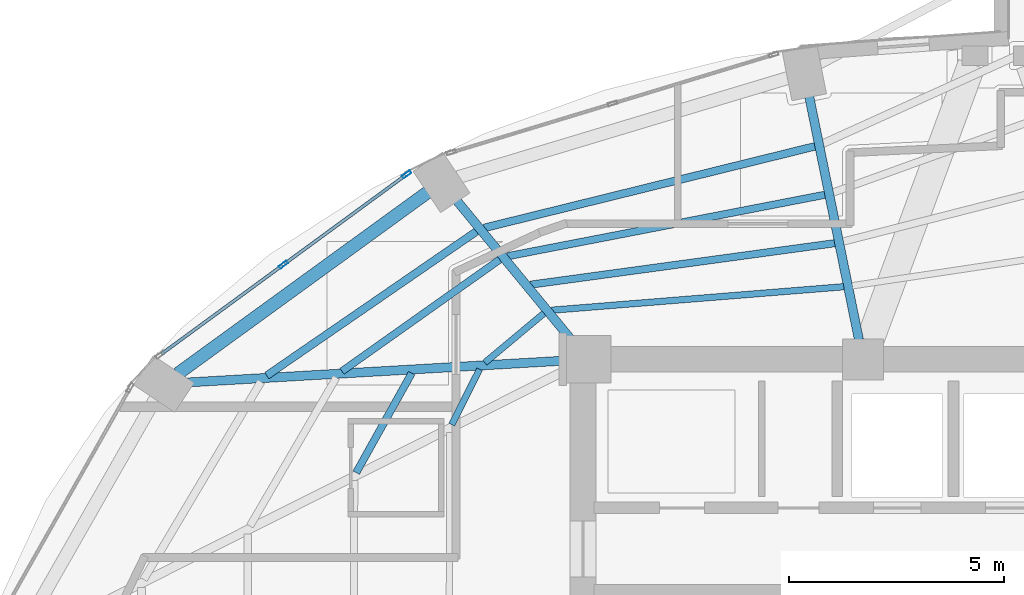
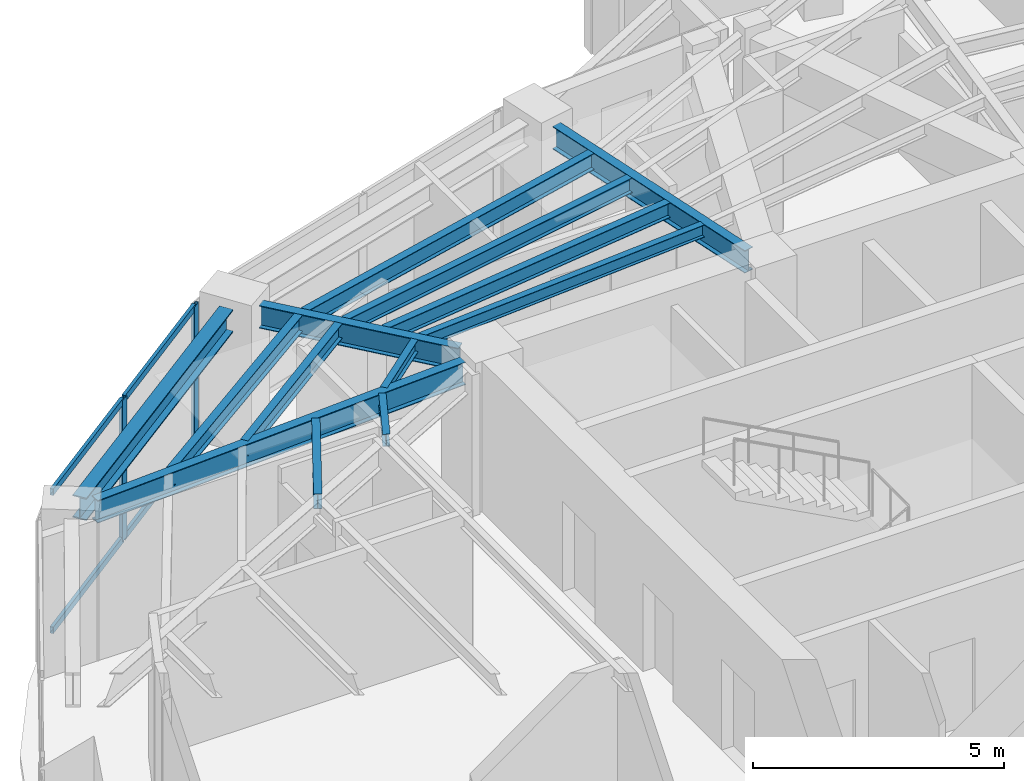
# One storey, part 7 of 20: 13 beams, 6 members, 1 element without a shape of its own.
"""IFC4 building model written with IfcOpenShell, lengths in metres."""

from ifc_helpers import new_model, si_unit, direction, frame, origin, origin_2d, place, context, subcontext, project, spatial, hollow_rectangle, i_section, extrude, material, layer, layer_set, material_profile, profile_set, type_object, element, aggregate, save


model = new_model("IFC4")

# Units and contexts
model_context = context("Model", 3, precision=1e-05, world=origin(), true_north=direction((0.0, 1.0)))
body_context = subcontext(model_context, "Body", "Model", "MODEL_VIEW")
ifc_project = project(units=[si_unit("LENGTHUNIT", "METRE"), si_unit("AREAUNIT", "SQUARE_METRE"), si_unit("VOLUMEUNIT", "CUBIC_METRE"), si_unit("PLANEANGLEUNIT", "RADIAN"), si_unit("MASSUNIT", "GRAM", prefix="KILO")], contexts=[model_context])

# Site, building, storey
site_placement = place(None, origin())
site = spatial("IfcSite", under=ifc_project, at=site_placement, CompositionType="ELEMENT")
building_placement = place(site_placement, origin())
building = spatial("IfcBuilding", under=site, at=building_placement, Name="Lazwardi Medical Tower", CompositionType="ELEMENT")
storey_placement = place(building_placement, frame((0.0, 0.0, 141.93603515625)))
storey = spatial("IfcBuildingStorey", under=building, at=storey_placement, Name="L36", CompositionType="ELEMENT", Elevation=141.93603515625)

# Beams
ifc_material_1 = material(Name="Steel S355", Category="steel")
ifc_material_profile_1 = material_profile(ifc_material_1, i_section(OverallWidth=0.300048828125, OverallDepth=0.550048828125, WebThickness=0.014892578125, FlangeThickness=0.029052734375, at=origin_2d()), Name="HEB 550")
ifc_profile_set_1 = profile_set([ifc_material_profile_1], Name="Steel S355")
beam_type_1 = type_object("IfcBeamType", Name="BM-RB-Z3", PredefinedType="BEAM", material=ifc_profile_set_1)
beam_1_placement = place(storey_placement, frame((22.689697265625, 39.479248046875, 3.153076171875), z_axis=(-0.809127570774, -0.587633026824, 0.0), x_axis=(0.587633026824, -0.809127570774, 0.0)))
element("IfcBeam", 1, at=beam_1_placement, inside=storey, type_object=beam_type_1, Name="Ring beam RB-04 B10 L36", PredefinedType="BEAM", context=body_context, shape_type="SweptSolid", body=[
    extrude(i_section(OverallWidth=0.300048828125, OverallDepth=0.550048828125, WebThickness=0.014892578125, FlangeThickness=0.029052734375, at=origin_2d()), origin(), (0.0, 0.0, 1.0), 7.170166015625),
])
ifc_material_profile_2 = material_profile(ifc_material_1, i_section(OverallWidth=0.2099609375, OverallDepth=0.550048828125, WebThickness=0.010986328125, FlangeThickness=0.01708984375, at=origin_2d()), Name="IPE 550")
ifc_profile_set_2 = profile_set([ifc_material_profile_2], Name="Steel S355")
beam_type_2 = type_object("IfcBeamType", Name="BM-RG-W2", PredefinedType="BEAM", material=ifc_profile_set_2)
beam_2_placement = place(storey_placement, frame((31.552001953125, 41.7001953125, 3.153076171875), z_axis=(0.200429485343, -0.979708130723, 0.0), x_axis=(0.979708130723, 0.200429485343, 0.0)))
element("IfcBeam", 2, at=beam_2_placement, inside=storey, type_object=beam_type_2, Name="Radial girder RG-03 R09 L36", PredefinedType="BEAM", context=body_context, shape_type="SweptSolid", body=[
    extrude(i_section(OverallWidth=0.2099609375, OverallDepth=0.550048828125, WebThickness=0.010986328125, FlangeThickness=0.01708984375, at=origin_2d()), origin(), (0.0, 0.0, 1.0), 5.766357421875),
])
beam_3_placement = place(storey_placement, frame((23.369384765625, 39.28173828125, 3.153076171875), z_axis=(0.635555639966, -0.772055068312, 0.0), x_axis=(0.772055068312, 0.635555639966, 0.0)))
element("IfcBeam", 3, at=beam_3_placement, inside=storey, type_object=beam_type_2, Name="Radial girder RG-03 R10 L36", PredefinedType="BEAM", context=body_context, shape_type="SweptSolid", body=[
    extrude(i_section(OverallWidth=0.2099609375, OverallDepth=0.550048828125, WebThickness=0.010986328125, FlangeThickness=0.01708984375, at=origin_2d()), origin(), (0.0, 0.0, 1.0), 4.233642578125),
])
beam_4_placement = place(storey_placement, frame((17.12353515625, 35.063232421875, 3.153076171875), z_axis=(0.998330154646, 0.057765927014, 0.0), x_axis=(-0.057765927014, 0.998330154646, 0.0)))
element("IfcBeam", 4, at=beam_4_placement, inside=storey, type_object=beam_type_2, Name="Radial girder RG-03 R11 L36", PredefinedType="BEAM", context=body_context, shape_type="SweptSolid", body=[
    extrude(i_section(OverallWidth=0.2099609375, OverallDepth=0.550048828125, WebThickness=0.010986328125, FlangeThickness=0.01708984375, at=origin_2d()), origin(), (0.0, 0.0, 1.0), 8.757080078125),
])
ifc_material_profile_3 = material_profile(ifc_material_1, i_section(OverallWidth=0.179931640625, OverallDepth=0.39990234375, WebThickness=0.008544921875, FlangeThickness=0.013427734375, at=origin_2d()), Name="IPE 400")
ifc_profile_set_3 = profile_set([ifc_material_profile_3], Name="Steel S355")
beam_type_3 = type_object("IfcBeamType", Name="BM-SJ-01", PredefinedType="JOIST", material=ifc_profile_set_3)
beam_5_placement = place(storey_placement, frame((31.68603515625, 40.54638671875, 3.22802734375), z_axis=(-0.970912648168, -0.239433977597, 0.0), x_axis=(0.239433977597, -0.970912648168, 0.0)))
element("IfcBeam", 5, at=beam_5_placement, inside=storey, type_object=beam_type_3, Name="Secondary joist SJ-01 R1 B09 L36", PredefinedType="JOIST", context=body_context, shape_type="SweptSolid", body=[
    extrude(i_section(OverallWidth=0.179931640625, OverallDepth=0.39990234375, WebThickness=0.008544921875, FlangeThickness=0.013427734375, at=origin_2d()), origin(), (0.0, 0.0, 1.0), 7.91162109375),
])
beam_6_placement = place(storey_placement, frame((23.8251953125, 38.5712890625, 3.22802734375), z_axis=(-0.823932256005, -0.566688307198, 0.0), x_axis=(0.566688307198, -0.823932256005, 0.0)))
element("IfcBeam", 6, at=beam_6_placement, inside=storey, type_object=beam_type_3, Name="Secondary joist SJ-01 R1 B10 L36", PredefinedType="JOIST", context=body_context, shape_type="SweptSolid", body=[
    extrude(i_section(OverallWidth=0.179931640625, OverallDepth=0.39990234375, WebThickness=0.008544921875, FlangeThickness=0.013427734375, at=origin_2d()), origin(), (0.0, 0.0, 1.0), 5.91162109375),
])
ifc_material_profile_4 = material_profile(ifc_material_1, i_section(OverallWidth=0.169921875, OverallDepth=0.360107421875, WebThickness=0.008056640625, FlangeThickness=0.0126953125, at=origin_2d()), Name="IPE 360")
ifc_profile_set_4 = profile_set([ifc_material_profile_4], Name="Steel S355")
beam_type_4 = type_object("IfcBeamType", Name="BM-SJ-02", PredefinedType="JOIST", material=ifc_profile_set_4)
beam_7_placement = place(storey_placement, frame((31.916015625, 39.42138671875, 3.248046875), z_axis=(-0.981753035865, -0.190160396953, 0.0), x_axis=(0.190160396953, -0.981753035865, 0.0)))
element("IfcBeam", 7, at=beam_7_placement, inside=storey, type_object=beam_type_4, Name="Secondary joist SJ-02 R2 B09 L36", PredefinedType="JOIST", context=body_context, shape_type="SweptSolid", body=[
    extrude(i_section(OverallWidth=0.169921875, OverallDepth=0.360107421875, WebThickness=0.008056640625, FlangeThickness=0.0126953125, at=origin_2d()), origin(), (0.0, 0.0, 1.0), 7.50927734375),
])
beam_8_placement = place(storey_placement, frame((24.364013671875, 37.91650390625, 3.248046875), z_axis=(-0.816108950798, -0.577898070967, 0.0), x_axis=(0.577898070967, -0.816108950798, 0.0)))
element("IfcBeam", 8, at=beam_8_placement, inside=storey, type_object=beam_type_4, Name="Secondary joist SJ-02 R2 B10 L36", PredefinedType="JOIST", context=body_context, shape_type="SweptSolid", body=[
    extrude(i_section(OverallWidth=0.169921875, OverallDepth=0.360107421875, WebThickness=0.008056640625, FlangeThickness=0.0126953125, at=origin_2d()), origin(), (0.0, 0.0, 1.0), 4.487060546875),
])
beam_9_placement = place(storey_placement, frame((32.146484375, 38.297119140625, 3.248046875), z_axis=(-0.990832043476, -0.135099450852, 0.0), x_axis=(0.135099450852, -0.990832043476, 0.0)))
element("IfcBeam", 9, at=beam_9_placement, inside=storey, type_object=beam_type_4, Name="Secondary joist SJ-02 R3 B09 L36", PredefinedType="JOIST", context=body_context, shape_type="SweptSolid", body=[
    extrude(i_section(OverallWidth=0.169921875, OverallDepth=0.360107421875, WebThickness=0.008056640625, FlangeThickness=0.0126953125, at=origin_2d()), origin(), (0.0, 0.0, 1.0), 7.129150390625),
])
beam_10_placement = place(storey_placement, frame((22.3203125, 35.279296875, 3.248046875), z_axis=(-0.487099444348, -0.87334651274, 0.0), x_axis=(0.87334651274, -0.487099444348, 0.0)))
element("IfcBeam", 10, at=beam_10_placement, inside=storey, type_object=beam_type_4, Name="Secondary joist SJ-02 R3 B11 L36", PredefinedType="JOIST", context=body_context, shape_type="SweptSolid", body=[
    extrude(i_section(OverallWidth=0.169921875, OverallDepth=0.360107421875, WebThickness=0.008056640625, FlangeThickness=0.0126953125, at=origin_2d()), origin(), (0.0, 0.0, 1.0), 2.64599609375),
])
ifc_material_profile_5 = material_profile(ifc_material_1, i_section(OverallWidth=0.14990234375, OverallDepth=0.300048828125, WebThickness=0.007080078125, FlangeThickness=0.0107421875, at=origin_2d()), Name="IPE 300")
ifc_profile_set_5 = profile_set([ifc_material_profile_5], Name="Steel S355")
beam_type_5 = type_object("IfcBeamType", Name="BM-SJ-03", PredefinedType="JOIST", material=ifc_profile_set_5)
beam_11_placement = place(storey_placement, frame((32.353759765625, 37.28564453125, 3.278076171875), z_axis=(-0.996785792338, -0.08011294647, 0.0), x_axis=(0.08011294647, -0.996785792338, 0.0)))
element("IfcBeam", 11, at=beam_11_placement, inside=storey, type_object=beam_type_5, Name="Secondary joist SJ-03 R4 B09 L36", PredefinedType="JOIST", context=body_context, shape_type="SweptSolid", body=[
    extrude(i_section(OverallWidth=0.14990234375, OverallDepth=0.300048828125, WebThickness=0.007080078125, FlangeThickness=0.0107421875, at=origin_2d()), origin(), (0.0, 0.0, 1.0), 6.80810546875),
])
beam_12_placement = place(storey_placement, frame((25.391357421875, 36.668212890625, 3.278076171875), z_axis=(-0.767437193893, -0.641124132621, 0.0), x_axis=(0.641124132621, -0.767437193893, 0.0)))
element("IfcBeam", 12, at=beam_12_placement, inside=storey, type_object=beam_type_5, Name="Secondary joist SJ-03 R4 B10 L36", PredefinedType="JOIST", context=body_context, shape_type="SweptSolid", body=[
    extrude(i_section(OverallWidth=0.14990234375, OverallDepth=0.300048828125, WebThickness=0.007080078125, FlangeThickness=0.0107421875, at=origin_2d()), origin(), (0.0, 0.0, 1.0), 1.787841796875),
])
beam_13_placement = place(storey_placement, frame((23.8974609375, 35.368408203125, 3.278076171875), z_axis=(-0.450406075332, -0.892823816497, 0.0), x_axis=(0.892823816497, -0.450406075332, 0.0)))
element("IfcBeam", 13, at=beam_13_placement, inside=storey, type_object=beam_type_5, Name="Secondary joist SJ-03 R4 B11 L36", PredefinedType="JOIST", context=body_context, shape_type="SweptSolid", body=[
    extrude(i_section(OverallWidth=0.14990234375, OverallDepth=0.300048828125, WebThickness=0.007080078125, FlangeThickness=0.0107421875, at=origin_2d()), origin(), (0.0, 0.0, 1.0), 1.4365234375),
])

# Curtain wall, members
ifc_material_2 = material(Name="Anodised bronze aluminium and solar control glazing", Category="aluminium")
ifc_layer = layer(ifc_material_2, 0.195068359375)
ifc_layer_set = layer_set([ifc_layer], Name="Anodised bronze aluminium and solar control glazing")
curtain_wall_type = type_object("IfcCurtainWallType", Name="CW-SYS-03", PredefinedType="NOTDEFINED", material=ifc_layer_set)
curtain_wall_placement = place(storey_placement, origin())
curtain_wall = element("IfcCurtainWall", 14, at=curtain_wall_placement, inside=storey, type_object=curtain_wall_type, Name="L36 Unitised bronze curtain wall CW-03", PredefinedType="NOTDEFINED")
ifc_material_3 = material(Name="Anodised bronze aluminium", Category="aluminium")
ifc_material_profile_6 = material_profile(ifc_material_3, hollow_rectangle(XDim=0.074951171875, YDim=0.219970703125, WallThickness=0.00390625, at=origin_2d()), Name="ALU-MULLION 220x75x4")
ifc_profile_set_6 = profile_set([ifc_material_profile_6], Name="Anodised bronze aluminium")
member_type_1 = type_object("IfcMemberType", Name="CW-MUL-01", PredefinedType="MULLION", material=ifc_profile_set_6)
member_1_placement = place(storey_placement, frame((22.204345703125, 39.894775390625, 0.0), z_axis=(0.0, 0.0, 1.0), x_axis=(0.590833862635, -0.806793249082, 0.0)))
member_1 = element("IfcMember", 15, at=member_1_placement, type_object=member_type_1, Name="CW-03 mullion 1", PredefinedType="MULLION", context=body_context, shape_type="SweptSolid", body=[
    extrude(hollow_rectangle(XDim=0.074951171875, YDim=0.219970703125, WallThickness=0.00390625, at=origin_2d()), origin(), (0.0, 0.0, 1.0), 3.427978515625),
])
member_2_placement = place(storey_placement, frame((19.34228515625, 37.798828125, 0.0), z_axis=(0.0, 0.0, 1.0), x_axis=(0.590833862635, -0.806793249082, 0.0)))
member_2 = element("IfcMember", 16, at=member_2_placement, type_object=member_type_1, Name="CW-03 mullion 2", PredefinedType="MULLION", context=body_context, shape_type="SweptSolid", body=[
    extrude(hollow_rectangle(XDim=0.074951171875, YDim=0.219970703125, WallThickness=0.00390625, at=origin_2d()), origin(), (0.0, 0.0, 1.0), 3.427978515625),
])
ifc_material_profile_7 = material_profile(ifc_material_3, hollow_rectangle(XDim=0.074951171875, YDim=0.159912109375, WallThickness=0.00390625, at=origin_2d()), Name="ALU-TRANSOM 160x75x4")
ifc_profile_set_7 = profile_set([ifc_material_profile_7], Name="Anodised bronze aluminium")
member_type_2 = type_object("IfcMemberType", Name="CW-TRN-01", PredefinedType="USERDEFINED", material=ifc_profile_set_7)
member_3_placement = place(storey_placement, frame((22.174072265625, 39.872802734375, 0.037353515625), z_axis=(-0.806773646358, -0.590860629542, 0.0), x_axis=(0.590860629542, -0.806773646358, 0.0)))
member_3 = element("IfcMember", 17, at=member_3_placement, type_object=member_type_2, Name="CW-03 transom 1.1", ObjectType="TRANSOM", PredefinedType="USERDEFINED", context=body_context, shape_type="SweptSolid", body=[
    extrude(hollow_rectangle(XDim=0.074951171875, YDim=0.159912109375, WallThickness=0.00390625, at=origin_2d()), origin(), (0.0, 0.0, 1.0), 3.472412109375),
])
member_4_placement = place(storey_placement, frame((22.174072265625, 39.872802734375, 3.390380859375), z_axis=(-0.806773646358, -0.590860629542, 0.0), x_axis=(0.590860629542, -0.806773646358, 0.0)))
member_4 = element("IfcMember", 18, at=member_4_placement, type_object=member_type_2, Name="CW-03 transom 1.2", ObjectType="TRANSOM", PredefinedType="USERDEFINED", context=body_context, shape_type="SweptSolid", body=[
    extrude(hollow_rectangle(XDim=0.074951171875, YDim=0.159912109375, WallThickness=0.00390625, at=origin_2d()), origin(), (0.0, 0.0, 1.0), 3.472412109375),
])
member_5_placement = place(storey_placement, frame((19.31201171875, 37.77685546875, 0.037353515625), z_axis=(-0.806773646358, -0.590860629542, 0.0), x_axis=(0.590860629542, -0.806773646358, 0.0)))
member_5 = element("IfcMember", 19, at=member_5_placement, type_object=member_type_2, Name="CW-03 transom 2.1", ObjectType="TRANSOM", PredefinedType="USERDEFINED", context=body_context, shape_type="SweptSolid", body=[
    extrude(hollow_rectangle(XDim=0.074951171875, YDim=0.159912109375, WallThickness=0.00390625, at=origin_2d()), origin(), (0.0, 0.0, 1.0), 3.472412109375),
])
member_6_placement = place(storey_placement, frame((19.31201171875, 37.77685546875, 3.390380859375), z_axis=(-0.806773646358, -0.590860629542, 0.0), x_axis=(0.590860629542, -0.806773646358, 0.0)))
member_6 = element("IfcMember", 20, at=member_6_placement, type_object=member_type_2, Name="CW-03 transom 2.2", ObjectType="TRANSOM", PredefinedType="USERDEFINED", context=body_context, shape_type="SweptSolid", body=[
    extrude(hollow_rectangle(XDim=0.074951171875, YDim=0.159912109375, WallThickness=0.00390625, at=origin_2d()), origin(), (0.0, 0.0, 1.0), 3.472412109375),
])
aggregate(curtain_wall, [member_1, member_2, member_3, member_4, member_5, member_6])

save(model, "model.ifc")
